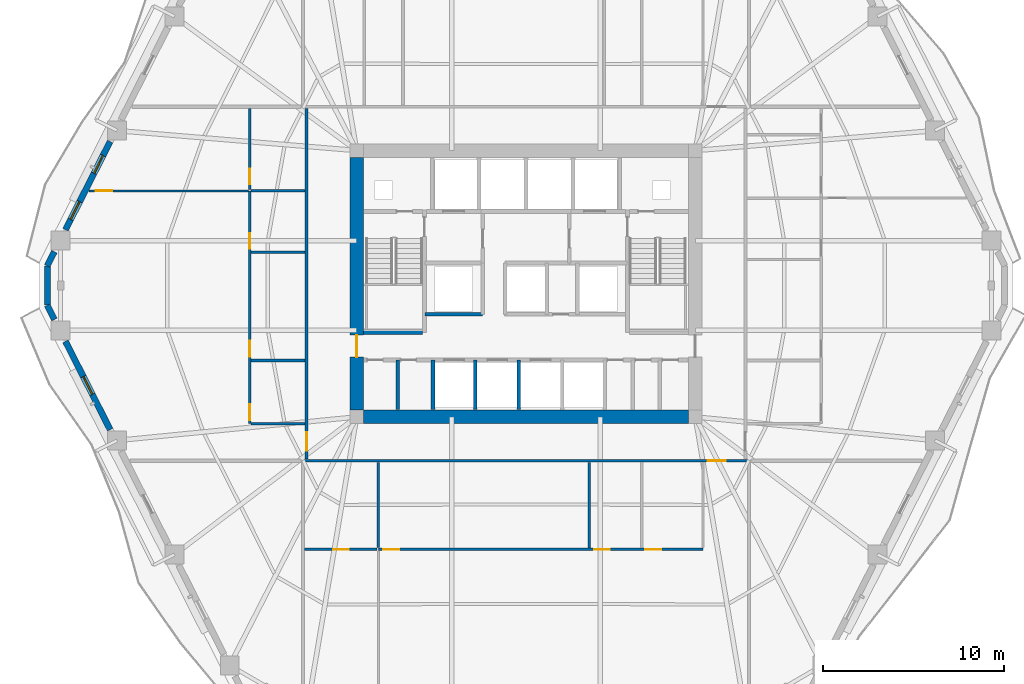
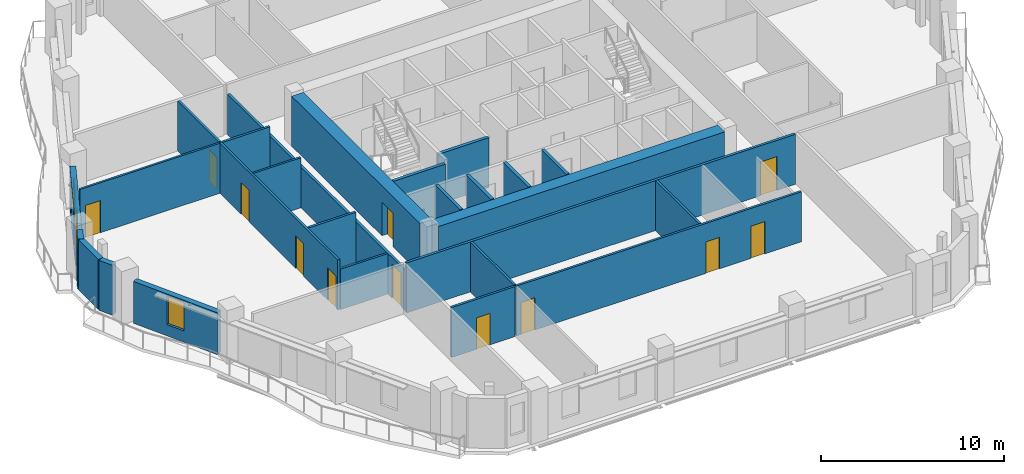
# One storey, part 4 of 13: 26 walls, 12 doors, 3 windows, 15 openings.
"""IFC4 building model written with IfcOpenShell, lengths in metres."""

from ifc_helpers import new_model, si_unit, direction, frame, frame_2d, origin, place, context, subcontext, project, spatial, rectangle, extrude, material, layer, layer_set, type_object, element, fill, save


model = new_model("IFC4")

# Units and contexts
model_context = context("Model", 3, precision=1e-05, world=origin(), true_north=direction((0.0, 1.0)))
body_context = subcontext(model_context, "Body", "Model", "MODEL_VIEW")
ifc_project = project(units=[si_unit("LENGTHUNIT", "METRE"), si_unit("AREAUNIT", "SQUARE_METRE"), si_unit("VOLUMEUNIT", "CUBIC_METRE"), si_unit("PLANEANGLEUNIT", "RADIAN"), si_unit("MASSUNIT", "GRAM", prefix="KILO")], contexts=[model_context])

# Site, building, storey
site_placement = place(None, origin())
site = spatial("IfcSite", under=ifc_project, at=site_placement, CompositionType="ELEMENT")
building_placement = place(site_placement, origin())
building = spatial("IfcBuilding", under=site, at=building_placement, Name="Cinnabar Lancet Tower", CompositionType="ELEMENT")
storey_placement = place(building_placement, frame((0.0, 0.0, 80.0)))
storey = spatial("IfcBuildingStorey", under=building, at=storey_placement, Name="L20", CompositionType="ELEMENT", Elevation=80.0)

# Wall, opening, door
ifc_material_1 = material(Name="Acoustic twin-stud gypsum partition", Category="gypsum")
ifc_layer_1 = layer(ifc_material_1, 0.159912109375)
ifc_layer_set_1 = layer_set([ifc_layer_1], Name="Acoustic twin-stud gypsum partition")
wall_type_1 = type_object("IfcWallType", Name="ARC-WL-CORR-160", PredefinedType="PARTITIONING", material=ifc_layer_set_1)
wall_1_placement = place(storey_placement, frame((20.14501953125, 16.10009765625, 0.0), z_axis=(0.0, 0.0, 1.0), x_axis=(1.0, 0.0, 0.0)))
wall_1 = element("IfcWall", 1, at=wall_1_placement, inside=storey, type_object=wall_type_1, Name="L20 Unit S01 Corridor Wall", PredefinedType="PARTITIONING", context=body_context, shape_type="SweptSolid", body=[
    extrude(rectangle(XDim=24.510009765625, YDim=0.159912109375, at=frame_2d((12.2548828125, 0.0))), origin(), (0.0, 0.0, 1.0), 3.330078125),
])
opening_1_placement = place(wall_1_placement, frame((22.304931640625, 0.0, 0.0)))
opening_1 = element("IfcOpeningElement", 2, at=opening_1_placement, cuts=wall_1, Name="Opening UD-01", PredefinedType="OPENING", context=body_context, shape_type="SweptSolid", body=[
    extrude(rectangle(XDim=1.02001953125, YDim=2.25, at=frame_2d((0.510009765625, 1.125))), frame((0.0, 0.08984375, 0.0), z_axis=(0.0, -1.0, 0.0), x_axis=(1.0, 0.0, 0.0)), (0.0, 0.0, 1.0), 0.179931640625),
])
ifc_material_2 = material(Name="Solid timber fire-rated apartment entrance door", Category="wood")
door_type_1 = type_object("IfcDoorType", Name="ARC-DR-UNIT", OperationType="NOTDEFINED", PredefinedType="DOOR", material=ifc_material_2)
door_1_placement = place(opening_1_placement, origin())
door_1 = element("IfcDoor", 3, at=door_1_placement, inside=storey, type_object=door_type_1, Name="DR-L20-S01-ENT", OperationType="SINGLE_SWING_RIGHT", OverallHeight=2.25, OverallWidth=1.02001953125, PredefinedType="DOOR", context=body_context, shape_type="SweptSolid", body=[
    extrude(rectangle(XDim=1.02001953125, YDim=2.25, at=frame_2d((0.510009765625, 1.125))), frame((0.0, 0.02490234375, 0.0), z_axis=(0.0, -1.0, 0.0), x_axis=(1.0, 0.0, 0.0)), (0.0, 0.0, 1.0), 0.050048828125),
])
fill(opening_1, door_1)

wall_2_placement = place(storey_placement, frame((20.25, 16.195068359375, 0.0), z_axis=(0.0, 0.0, 1.0), x_axis=(0.0, 1.0, 0.0)))
wall_2 = element("IfcWall", 4, at=wall_2_placement, inside=storey, type_object=wall_type_1, Name="UW-L20-W01-COR", PredefinedType="PARTITIONING", context=body_context, shape_type="SweptSolid", body=[
    extrude(rectangle(XDim=19.409912109375, YDim=0.159912109375, at=frame_2d((9.705078125, 0.0))), origin(), (0.0, 0.0, 1.0), 2.699951171875),
])
opening_2_placement = place(wall_2_placement, frame((0.449951171875, 0.0, 0.0)))
opening_2 = element("IfcOpeningElement", 5, at=opening_2_placement, cuts=wall_2, Name="Opening UD-01", PredefinedType="OPENING", context=body_context, shape_type="SweptSolid", body=[
    extrude(rectangle(XDim=1.02001953125, YDim=2.25, at=frame_2d((0.510009765625, 1.125))), frame((0.0, 0.08984375, 0.0), z_axis=(0.0, -1.0, 0.0), x_axis=(1.0, 0.0, 0.0)), (0.0, 0.0, 1.0), 0.179931640625),
])
door_2_placement = place(opening_2_placement, origin())
door_2 = element("IfcDoor", 6, at=door_2_placement, inside=storey, type_object=door_type_1, Name="DR-L20-W01-ENT", OperationType="SINGLE_SWING_RIGHT", OverallHeight=2.25, OverallWidth=1.02001953125, PredefinedType="DOOR", context=body_context, shape_type="SweptSolid", body=[
    extrude(rectangle(XDim=1.02001953125, YDim=2.25, at=frame_2d((0.510009765625, 1.125))), frame((0.0, 0.02490234375, 0.0), z_axis=(0.0, -1.0, 0.0), x_axis=(1.0, 0.0, 0.0)), (0.0, 0.0, 1.0), 0.050048828125),
])
fill(opening_2, door_2)

# Walls
ifc_material_3 = material(Name="Autoclaved aerated concrete blockwork", Category="masonry")
ifc_layer_2 = layer(ifc_material_3, 0.199951171875)
ifc_layer_set_2 = layer_set([ifc_layer_2], Name="Autoclaved aerated concrete blockwork")
wall_type_2 = type_object("IfcWallType", Name="ARC-WL-SHAFT-200", PredefinedType="PLUMBINGWALL", material=ifc_layer_set_2)
wall_3_placement = place(storey_placement, frame((23.405029296875, 23.199951171875, 0.0), z_axis=(0.0, 0.0, 1.0), x_axis=(1.0, 0.0, 0.0)))
element("IfcWall", 7, at=wall_3_placement, inside=storey, type_object=wall_type_2, Name="CW-ST1S-L20", PredefinedType="PLUMBINGWALL", context=body_context, shape_type="SweptSolid", body=[
    extrude(rectangle(XDim=3.27001953125, YDim=0.199951171875, at=frame_2d((1.635009765625, 0.0))), origin(), (0.0, 0.0, 1.0), 3.330078125),
])
wall_4_placement = place(storey_placement, frame((26.800048828125, 24.199951171875, 0.0), z_axis=(0.0, 0.0, 1.0), x_axis=(1.0, 0.0, 0.0)))
element("IfcWall", 8, at=wall_4_placement, inside=storey, type_object=wall_type_2, Name="CW-PL5S-L20", PredefinedType="PLUMBINGWALL", context=body_context, shape_type="SweptSolid", body=[
    extrude(rectangle(XDim=3.199951171875, YDim=0.199951171875, at=frame_2d((1.60009765625, 0.0))), origin(), (0.0, 0.0, 1.0), 3.330078125),
])
for number, where, z_axis, x_axis, name in (
    (9, (27.25, 18.949951171875, 0.0), (0.0, 0.0, 1.0), (0.0, 1.0, 0.0), "CW-SB-2725-L20"),
    (10, (29.60009765625, 18.949951171875, 0.0), (0.0, 0.0, 1.0), (0.0, 1.0, 0.0), "CW-SB-2960-L20"),
    (11, (32.0, 18.949951171875, 0.0), (0.0, 0.0, 1.0), (0.0, 1.0, 0.0), "CW-SB-3200-L20"),
    (12, (25.300048828125, 18.949951171875, 0.0), (0.0, 0.0, 1.0), (0.0, 1.0, 0.0), "CW-SBC2-253-L20"),
):
    element("IfcWall", number, at=place(storey_placement, frame(where, z_axis=z_axis, x_axis=x_axis)), inside=storey, type_object=wall_type_2, Name=name, PredefinedType="PLUMBINGWALL", context=body_context, shape_type="SweptSolid", body=[
        extrude(rectangle(XDim=2.72998046875, YDim=0.199951171875, at=frame_2d((1.364990234375, 0.0))), origin(), (0.0, 0.0, 1.0), 3.330078125),
    ])
ifc_material_4 = material(Name="Gypsum plasterboard stud partition", Category="gypsum")
ifc_layer_3 = layer(ifc_material_4, 0.125)
ifc_layer_set_3 = layer_set([ifc_layer_3], Name="Gypsum plasterboard stud partition")
wall_type_3 = type_object("IfcWallType", Name="ARC-WL-UNIT-125", PredefinedType="PARTITIONING", material=ifc_layer_set_3)
wall_5_placement = place(storey_placement, frame((17.18505859375, 18.14990234375, 0.0), z_axis=(0.0, 0.0, 1.0), x_axis=(1.0, 0.0, 0.0)))
element("IfcWall", 13, at=wall_5_placement, inside=storey, type_object=wall_type_3, Name="UW-L20-W01-FOYN", PredefinedType="PARTITIONING", context=body_context, shape_type="SweptSolid", body=[
    extrude(rectangle(XDim=2.97998046875, YDim=0.125, at=frame_2d((1.489990234375, 0.0))), origin(), (0.0, 0.0, 1.0), 2.699951171875),
])

# Wall, opening, door
wall_6_placement = place(storey_placement, frame((8.215087890625, 31.0380859375, 0.0), z_axis=(0.0, 0.0, 1.0), x_axis=(1.0, 0.0, 0.0)))
wall_6 = element("IfcWall", 14, at=wall_6_placement, inside=storey, type_object=wall_type_3, Name="UW-L20-W01-MBN", PredefinedType="PARTITIONING", context=body_context, shape_type="SweptSolid", body=[
    extrude(rectangle(XDim=8.809814453125, YDim=0.125, at=frame_2d((4.40478515625, 0.0))), origin(), (0.0, 0.0, 1.0), 3.330078125),
])
opening_3_placement = place(wall_6_placement, frame((0.35009765625, 0.0, 0.0)))
opening_3 = element("IfcOpeningElement", 15, at=opening_3_placement, cuts=wall_6, Name="Opening RD-01", PredefinedType="OPENING", context=body_context, shape_type="SweptSolid", body=[
    extrude(rectangle(XDim=0.919921875, YDim=2.14990234375, at=frame_2d((0.4599609375, 1.074951171875))), frame((0.0, 0.072509765625, 0.0), z_axis=(0.0, -1.0, 0.0), x_axis=(1.0, 0.0, 0.0)), (0.0, 0.0, 1.0), 0.14501953125),
])
ifc_material_5 = material(Name="Engineered timber bedroom door", Category="wood")
door_type_2 = type_object("IfcDoorType", Name="ARC-DR-ROOM", OperationType="NOTDEFINED", PredefinedType="DOOR", material=ifc_material_5)
door_3_placement = place(opening_3_placement, origin())
door_3 = element("IfcDoor", 16, at=door_3_placement, inside=storey, type_object=door_type_2, Name="DR-L20-W01-MBD", OperationType="SINGLE_SWING_RIGHT", OverallHeight=2.14990234375, OverallWidth=0.919921875, PredefinedType="DOOR", context=body_context, shape_type="SweptSolid", body=[
    extrude(rectangle(XDim=0.919921875, YDim=2.14990234375, at=frame_2d((0.4599609375, 1.074951171875))), frame((0.0, 0.02490234375, 0.0), z_axis=(0.0, -1.0, 0.0), x_axis=(1.0, 0.0, 0.0)), (0.0, 0.0, 1.0), 0.050048828125),
])
fill(opening_3, door_3)

# Wall
wall_7_placement = place(storey_placement, frame((17.18505859375, 27.637939453125, 0.0), z_axis=(0.0, 0.0, 1.0), x_axis=(1.0, 0.0, 0.0)))
element("IfcWall", 17, at=wall_7_placement, inside=storey, type_object=wall_type_3, Name="UW-L20-W01-UDV", PredefinedType="PARTITIONING", context=body_context, shape_type="SweptSolid", body=[
    extrude(rectangle(XDim=2.97998046875, YDim=0.125, at=frame_2d((1.489990234375, 0.0))), origin(), (0.0, 0.0, 1.0), 3.330078125),
])

# Wall, openings, doors
ifc_material_6 = material(Name="Moisture-resistant cement-board plumbing wall", Category="masonry")
ifc_layer_4 = layer(ifc_material_6, 0.139892578125)
ifc_layer_set_4 = layer_set([ifc_layer_4], Name="Moisture-resistant cement-board plumbing wall")
wall_type_4 = type_object("IfcWallType", Name="ARC-WL-WET-140", PredefinedType="PLUMBINGWALL", material=ifc_layer_set_4)
wall_8_placement = place(storey_placement, frame((24.22998046875, 11.18798828125, 0.0), z_axis=(0.0, 0.0, 1.0), x_axis=(1.0, 0.0, 0.0)))
wall_8 = element("IfcWall", 18, at=wall_8_placement, inside=storey, type_object=wall_type_4, Name="UW-L20-S01-SPL", PredefinedType="PLUMBINGWALL", context=body_context, shape_type="SweptSolid", body=[
    extrude(rectangle(XDim=17.969970703125, YDim=0.139892578125, at=frame_2d((8.98486328125, 0.0))), origin(), (0.0, 0.0, 1.0), 3.330078125),
])
opening_4_placement = place(wall_8_placement, frame((0.280029296875, 0.0, 0.0)))
opening_4 = element("IfcOpeningElement", 19, at=opening_4_placement, cuts=wall_8, Name="Opening RD-02", PredefinedType="OPENING", context=body_context, shape_type="SweptSolid", body=[
    extrude(rectangle(XDim=0.8798828125, YDim=2.14990234375, at=frame_2d((0.43994140625, 1.074951171875))), frame((0.0, 0.079833984375, 0.0), z_axis=(0.0, -1.0, 0.0), x_axis=(1.0, 0.0, 0.0)), (0.0, 0.0, 1.0), 0.159912109375),
])
opening_5_placement = place(wall_8_placement, frame((11.946044921875, 0.0, 0.0)))
opening_5 = element("IfcOpeningElement", 20, at=opening_5_placement, cuts=wall_8, Name="Opening BD-01", PredefinedType="OPENING", context=body_context, shape_type="SweptSolid", body=[
    extrude(rectangle(XDim=0.860107421875, YDim=2.10009765625, at=frame_2d((0.43017578125, 1.050048828125))), frame((0.0, 0.079833984375, 0.0), z_axis=(0.0, -1.0, 0.0), x_axis=(1.0, 0.0, 0.0)), (0.0, 0.0, 1.0), 0.159912109375),
])
opening_6_placement = place(wall_8_placement, frame((14.77001953125, 0.0, 0.0)))
opening_6 = element("IfcOpeningElement", 21, at=opening_6_placement, cuts=wall_8, Name="Opening RD-02", PredefinedType="OPENING", context=body_context, shape_type="SweptSolid", body=[
    extrude(rectangle(XDim=0.8798828125, YDim=2.14990234375, at=frame_2d((0.43994140625, 1.074951171875))), frame((0.0, 0.079833984375, 0.0), z_axis=(0.0, -1.0, 0.0), x_axis=(1.0, 0.0, 0.0)), (0.0, 0.0, 1.0), 0.159912109375),
])
ifc_material_7 = material(Name="Moisture-resistant timber bathroom door", Category="wood")
door_type_3 = type_object("IfcDoorType", Name="ARC-DR-BATH", OperationType="NOTDEFINED", PredefinedType="DOOR", material=ifc_material_7)
door_4_placement = place(opening_5_placement, origin())
door_4 = element("IfcDoor", 22, at=door_4_placement, inside=storey, type_object=door_type_3, Name="DR-L20-S01-BTH", OperationType="SINGLE_SWING_RIGHT", OverallHeight=2.10009765625, OverallWidth=0.860107421875, PredefinedType="DOOR", context=body_context, shape_type="SweptSolid", body=[
    extrude(rectangle(XDim=0.860107421875, YDim=2.10009765625, at=frame_2d((0.43017578125, 1.050048828125))), frame((0.0, 0.02490234375, 0.0), z_axis=(0.0, -1.0, 0.0), x_axis=(1.0, 0.0, 0.0)), (0.0, 0.0, 1.0), 0.050048828125),
])
fill(opening_5, door_4)
ifc_material_8 = material(Name="Engineered timber study door", Category="wood")
door_type_4 = type_object("IfcDoorType", Name="ARC-DR-STUDY", OperationType="NOTDEFINED", PredefinedType="DOOR", material=ifc_material_8)
door_5_placement = place(opening_4_placement, origin())
door_5 = element("IfcDoor", 23, at=door_5_placement, inside=storey, type_object=door_type_4, Name="DR-L20-S01-BTH-WDR", OperationType="SINGLE_SWING_LEFT", OverallHeight=2.14990234375, OverallWidth=0.8798828125, PredefinedType="DOOR", context=body_context, shape_type="SweptSolid", body=[
    extrude(rectangle(XDim=0.8798828125, YDim=2.14990234375, at=frame_2d((0.43994140625, 1.074951171875))), frame((0.0, 0.02490234375, 0.0), z_axis=(0.0, -1.0, 0.0), x_axis=(1.0, 0.0, 0.0)), (0.0, 0.0, 1.0), 0.050048828125),
])
fill(opening_4, door_5)
door_6_placement = place(opening_6_placement, origin())
door_6 = element("IfcDoor", 24, at=door_6_placement, inside=storey, type_object=door_type_4, Name="DR-L20-S01-KIT", OperationType="SINGLE_SWING_RIGHT", OverallHeight=2.14990234375, OverallWidth=0.8798828125, PredefinedType="DOOR", context=body_context, shape_type="SweptSolid", body=[
    extrude(rectangle(XDim=0.8798828125, YDim=2.14990234375, at=frame_2d((0.43994140625, 1.074951171875))), frame((0.0, 0.02490234375, 0.0), z_axis=(0.0, -1.0, 0.0), x_axis=(1.0, 0.0, 0.0)), (0.0, 0.0, 1.0), 0.050048828125),
])
fill(opening_6, door_6)

# Wall, opening, door
wall_9_placement = place(storey_placement, frame((20.14501953125, 11.18798828125, 0.0), z_axis=(0.0, 0.0, 1.0), x_axis=(1.0, 0.0, 0.0)))
wall_9 = element("IfcWall", 25, at=wall_9_placement, inside=storey, type_object=wall_type_4, Name="UW-L20-S01-SPM", PredefinedType="PLUMBINGWALL", context=body_context, shape_type="SweptSolid", body=[
    extrude(rectangle(XDim=4.010009765625, YDim=0.139892578125, at=frame_2d((2.0048828125, 0.0))), origin(), (0.0, 0.0, 1.0), 3.330078125),
])
opening_7_placement = place(wall_9_placement, frame((1.580078125, 0.0, 0.0)))
opening_7 = element("IfcOpeningElement", 26, at=opening_7_placement, cuts=wall_9, Name="Opening BD-01", PredefinedType="OPENING", context=body_context, shape_type="SweptSolid", body=[
    extrude(rectangle(XDim=0.860107421875, YDim=2.10009765625, at=frame_2d((0.43017578125, 1.050048828125))), frame((0.0, 0.079833984375, 0.0), z_axis=(0.0, -1.0, 0.0), x_axis=(1.0, 0.0, 0.0)), (0.0, 0.0, 1.0), 0.159912109375),
])
door_7_placement = place(opening_7_placement, origin())
door_7 = element("IfcDoor", 27, at=door_7_placement, inside=storey, type_object=door_type_3, Name="DR-L20-S01-ENS", OperationType="SINGLE_SWING_RIGHT", OverallHeight=2.10009765625, OverallWidth=0.860107421875, PredefinedType="DOOR", context=body_context, shape_type="SweptSolid", body=[
    extrude(rectangle(XDim=0.860107421875, YDim=2.10009765625, at=frame_2d((0.43017578125, 1.050048828125))), frame((0.0, 0.02490234375, 0.0), z_axis=(0.0, -1.0, 0.0), x_axis=(1.0, 0.0, 0.0)), (0.0, 0.0, 1.0), 0.050048828125),
])
fill(opening_7, door_7)

# Walls
wall_10_placement = place(storey_placement, frame((24.22998046875, 11.29296875, 0.0), z_axis=(0.0, 0.0, 1.0), x_axis=(0.0, 1.0, 0.0)))
element("IfcWall", 28, at=wall_10_placement, inside=storey, type_object=wall_type_4, Name="UW-L20-S01-ENSW", PredefinedType="PLUMBINGWALL", context=body_context, shape_type="SweptSolid", body=[
    extrude(rectangle(XDim=4.721923828125, YDim=0.139892578125, at=frame_2d((2.36083984375, 0.0))), origin(), (0.0, 0.0, 1.0), 3.330078125),
])
wall_11_placement = place(storey_placement, frame((35.89599609375, 11.27294921875, 0.0), z_axis=(0.0, 0.0, 1.0), x_axis=(0.0, 1.0, 0.0)))
element("IfcWall", 29, at=wall_11_placement, inside=storey, type_object=wall_type_4, Name="UW-L20-S01-BTH-WDV", PredefinedType="PLUMBINGWALL", context=body_context, shape_type="SweptSolid", body=[
    extrude(rectangle(XDim=4.741943359375, YDim=0.139892578125, at=frame_2d((2.37109375, 0.0))), origin(), (0.0, 0.0, 1.0), 3.330078125),
])

# Wall, openings, doors
wall_12_placement = place(storey_placement, frame((17.10009765625, 18.14990234375, 0.0), z_axis=(0.0, 0.0, 1.0), x_axis=(0.0, 1.0, 0.0)))
wall_12 = element("IfcWall", 30, at=wall_12_placement, inside=storey, type_object=wall_type_4, Name="UW-L20-W01-SPL", PredefinedType="PLUMBINGWALL", context=body_context, shape_type="SweptSolid", body=[
    extrude(rectangle(XDim=12.88818359375, YDim=0.139892578125, at=frame_2d((6.444091796875, 0.0))), origin(), (0.0, 0.0, 1.0), 3.330078125),
])
opening_8_placement = place(wall_12_placement, frame((0.199951171875, 0.0, 0.0)))
opening_8 = element("IfcOpeningElement", 31, at=opening_8_placement, cuts=wall_12, Name="Opening RD-02", PredefinedType="OPENING", context=body_context, shape_type="SweptSolid", body=[
    extrude(rectangle(XDim=0.8798828125, YDim=2.14990234375, at=frame_2d((0.43994140625, 1.074951171875))), frame((0.0, 0.079833984375, 0.0), z_axis=(0.0, -1.0, 0.0), x_axis=(1.0, 0.0, 0.0)), (0.0, 0.0, 1.0), 0.159912109375),
])
opening_9_placement = place(wall_12_placement, frame((3.699951171875, 0.0, 0.0)))
opening_9 = element("IfcOpeningElement", 32, at=opening_9_placement, cuts=wall_12, Name="Opening RD-02", PredefinedType="OPENING", context=body_context, shape_type="SweptSolid", body=[
    extrude(rectangle(XDim=0.8798828125, YDim=2.14990234375, at=frame_2d((0.43994140625, 1.074951171875))), frame((0.0, 0.079833984375, 0.0), z_axis=(0.0, -1.0, 0.0), x_axis=(1.0, 0.0, 0.0)), (0.0, 0.0, 1.0), 0.159912109375),
])
opening_10_placement = place(wall_12_placement, frame((9.68798828125, 0.0, 0.0)))
opening_10 = element("IfcOpeningElement", 33, at=opening_10_placement, cuts=wall_12, Name="Opening BD-01", PredefinedType="OPENING", context=body_context, shape_type="SweptSolid", body=[
    extrude(rectangle(XDim=0.860107421875, YDim=2.10009765625, at=frame_2d((0.43017578125, 1.050048828125))), frame((0.0, 0.079833984375, 0.0), z_axis=(0.0, -1.0, 0.0), x_axis=(1.0, 0.0, 0.0)), (0.0, 0.0, 1.0), 0.159912109375),
])
door_8_placement = place(opening_10_placement, origin())
door_8 = element("IfcDoor", 34, at=door_8_placement, inside=storey, type_object=door_type_3, Name="DR-L20-W01-BTH", OperationType="SINGLE_SWING_LEFT", OverallHeight=2.10009765625, OverallWidth=0.860107421875, PredefinedType="DOOR", context=body_context, shape_type="SweptSolid", body=[
    extrude(rectangle(XDim=0.860107421875, YDim=2.10009765625, at=frame_2d((0.43017578125, 1.050048828125))), frame((0.0, 0.02490234375, 0.0), z_axis=(0.0, -1.0, 0.0), x_axis=(1.0, 0.0, 0.0)), (0.0, 0.0, 1.0), 0.050048828125),
])
fill(opening_10, door_8)
door_9_placement = place(opening_8_placement, origin())
door_9 = element("IfcDoor", 35, at=door_9_placement, inside=storey, type_object=door_type_4, Name="DR-L20-W01-KIT", OperationType="SINGLE_SWING_LEFT", OverallHeight=2.14990234375, OverallWidth=0.8798828125, PredefinedType="DOOR", context=body_context, shape_type="SweptSolid", body=[
    extrude(rectangle(XDim=0.8798828125, YDim=2.14990234375, at=frame_2d((0.43994140625, 1.074951171875))), frame((0.0, 0.02490234375, 0.0), z_axis=(0.0, -1.0, 0.0), x_axis=(1.0, 0.0, 0.0)), (0.0, 0.0, 1.0), 0.050048828125),
])
fill(opening_8, door_9)
door_10_placement = place(opening_9_placement, origin())
door_10 = element("IfcDoor", 36, at=door_10_placement, inside=storey, type_object=door_type_4, Name="DR-L20-W01-UTL", OperationType="SINGLE_SWING_RIGHT", OverallHeight=2.14990234375, OverallWidth=0.8798828125, PredefinedType="DOOR", context=body_context, shape_type="SweptSolid", body=[
    extrude(rectangle(XDim=0.8798828125, YDim=2.14990234375, at=frame_2d((0.43994140625, 1.074951171875))), frame((0.0, 0.02490234375, 0.0), z_axis=(0.0, -1.0, 0.0), x_axis=(1.0, 0.0, 0.0)), (0.0, 0.0, 1.0), 0.050048828125),
])
fill(opening_9, door_10)

# Wall, opening, door
wall_13_placement = place(storey_placement, frame((17.10009765625, 31.10791015625, 0.0), z_axis=(0.0, 0.0, 1.0), x_axis=(0.0, 1.0, 0.0)))
wall_13 = element("IfcWall", 37, at=wall_13_placement, inside=storey, type_object=wall_type_4, Name="UW-L20-W01-SPM", PredefinedType="PLUMBINGWALL", context=body_context, shape_type="SweptSolid", body=[
    extrude(rectangle(XDim=4.4970703125, YDim=0.139892578125, at=frame_2d((2.24853515625, 0.0))), origin(), (0.0, 0.0, 1.0), 3.330078125),
])
opening_11_placement = place(wall_13_placement, frame((0.300048828125, 0.0, 0.0)))
opening_11 = element("IfcOpeningElement", 38, at=opening_11_placement, cuts=wall_13, Name="Opening BD-01", PredefinedType="OPENING", context=body_context, shape_type="SweptSolid", body=[
    extrude(rectangle(XDim=0.860107421875, YDim=2.10009765625, at=frame_2d((0.43017578125, 1.050048828125))), frame((0.0, 0.079833984375, 0.0), z_axis=(0.0, -1.0, 0.0), x_axis=(1.0, 0.0, 0.0)), (0.0, 0.0, 1.0), 0.159912109375),
])
door_11_placement = place(opening_11_placement, origin())
door_11 = element("IfcDoor", 39, at=door_11_placement, inside=storey, type_object=door_type_3, Name="DR-L20-W01-ENS", OperationType="SINGLE_SWING_RIGHT", OverallHeight=2.10009765625, OverallWidth=0.860107421875, PredefinedType="DOOR", context=body_context, shape_type="SweptSolid", body=[
    extrude(rectangle(XDim=0.860107421875, YDim=2.10009765625, at=frame_2d((0.43017578125, 1.050048828125))), frame((0.0, 0.02490234375, 0.0), z_axis=(0.0, -1.0, 0.0), x_axis=(1.0, 0.0, 0.0)), (0.0, 0.0, 1.0), 0.050048828125),
])
fill(opening_11, door_11)

# Walls
for number, where, z_axis, x_axis, name in (
    (40, (17.18505859375, 31.0380859375, 0.0), (0.0, 0.0, 1.0), (1.0, 0.0, 0.0), "UW-L20-W01-ENSN"),
    (41, (17.18505859375, 21.64990234375, 0.0), (0.0, 0.0, 1.0), (1.0, 0.0, 0.0), "UW-L20-W01-KDV"),
):
    element("IfcWall", number, at=place(storey_placement, frame(where, z_axis=z_axis, x_axis=x_axis)), inside=storey, type_object=wall_type_4, Name=name, PredefinedType="PLUMBINGWALL", context=body_context, shape_type="SweptSolid", body=[
        extrude(rectangle(XDim=2.97998046875, YDim=0.139892578125, at=frame_2d((1.489990234375, 0.0))), origin(), (0.0, 0.0, 1.0), 3.330078125),
    ])
ifc_material_9 = material(Name="Cinnabar red clay brick", Category="masonry")
ifc_layer_5 = layer(ifc_material_9, 0.340087890625)
ifc_layer_set_5 = layer_set([ifc_layer_5], Name="Cinnabar red clay brick")
wall_type_5 = type_object("IfcWallType", Name="ENV-WL-BRK-RED-340", PredefinedType="STANDARD", material=ifc_layer_set_5)
wall_14_placement = place(storey_placement, frame((5.912109375, 26.885986328125, 0.0), z_axis=(0.0, 0.0, 1.0), x_axis=(0.0, -1.0, 0.0)))
element("IfcWall", 42, at=wall_14_placement, inside=storey, type_object=wall_type_5, Name="L20 Chamfered Corner Brick Pier 6.1", PredefinedType="STANDARD", context=body_context, shape_type="SweptSolid", body=[
    extrude(rectangle(XDim=2.171875, YDim=0.340087890625, at=frame_2d((1.0859375, 0.0))), origin(), (0.0, 0.0, 1.0), 3.330078125),
])

# Wall, openings, windows
wall_15_placement = place(storey_placement, frame((9.3740234375, 33.77587890625, 0.0), z_axis=(0.0, 0.0, 1.0), x_axis=(-0.451597066012, -0.892221995901, 0.0)))
wall_15 = element("IfcWall", 43, at=wall_15_placement, inside=storey, type_object=wall_type_5, Name="L20 Face 5 Masonry Bay Wall 4", PredefinedType="STANDARD", context=body_context, shape_type="SweptSolid", body=[
    extrude(rectangle(XDim=5.4736328125, YDim=0.340087890625, at=frame_2d((2.73681640625, 0.0))), origin(), (0.0, 0.0, 1.0), 2.787109375),
])
opening_12_placement = place(wall_15_placement, frame((0.873046875, 0.0, 0.75)))
opening_12 = element("IfcOpeningElement", 44, at=opening_12_placement, cuts=wall_15, Name="Opening WN-04", PredefinedType="OPENING", context=body_context, shape_type="SweptSolid", body=[
    extrude(rectangle(XDim=1.10009765625, YDim=1.886962890625, at=frame_2d((0.550048828125, 0.943359375))), frame((0.0, 0.179931640625, 0.0), z_axis=(0.0, -1.0, 0.0), x_axis=(1.0, 0.0, 0.0)), (0.0, 0.0, 1.0), 0.360107421875),
])
opening_13_placement = place(wall_15_placement, frame((3.72998046875, 0.0, 0.75)))
opening_13 = element("IfcOpeningElement", 45, at=opening_13_placement, cuts=wall_15, Name="Opening WN-04", PredefinedType="OPENING", context=body_context, shape_type="SweptSolid", body=[
    extrude(rectangle(XDim=1.10009765625, YDim=1.886962890625, at=frame_2d((0.550048828125, 0.943359375))), frame((0.0, 0.179931640625, 0.0), z_axis=(0.0, -1.0, 0.0), x_axis=(1.0, 0.0, 0.0)), (0.0, 0.0, 1.0), 0.360107421875),
])
ifc_material_10 = material(Name="Thermally broken bronze-anodized aluminium tall lancet window", Category="aluminium")
window_type = type_object("IfcWindowType", Name="ENV-WN-LANCET-1100", PartitioningType="SINGLE_PANEL", PredefinedType="WINDOW", material=ifc_material_10)
window_1_placement = place(opening_12_placement, origin())
window_1 = element("IfcWindow", 46, at=window_1_placement, inside=storey, type_object=window_type, Name="L20 Face 5 Gothic Lancet Window 4", OverallHeight=1.886962890625, OverallWidth=1.10009765625, PartitioningType="SINGLE_PANEL", PredefinedType="WINDOW", context=body_context, shape_type="SweptSolid", body=[
    extrude(rectangle(XDim=1.10009765625, YDim=1.886962890625, at=frame_2d((0.550048828125, 0.943359375))), frame((0.0, 0.030029296875, 0.0), z_axis=(0.0, -1.0, 0.0), x_axis=(1.0, 0.0, 0.0)), (0.0, 0.0, 1.0), 0.06005859375),
])
fill(opening_12, window_1)
window_2_placement = place(opening_13_placement, origin())
window_2 = element("IfcWindow", 47, at=window_2_placement, inside=storey, type_object=window_type, Name="L20 Split-Bay Gothic Lancet Window 57", OverallHeight=1.886962890625, OverallWidth=1.10009765625, PartitioningType="SINGLE_PANEL", PredefinedType="WINDOW", context=body_context, shape_type="SweptSolid", body=[
    extrude(rectangle(XDim=1.10009765625, YDim=1.886962890625, at=frame_2d((0.550048828125, 0.943359375))), frame((0.0, 0.030029296875, 0.0), z_axis=(0.0, -1.0, 0.0), x_axis=(1.0, 0.0, 0.0)), (0.0, 0.0, 1.0), 0.06005859375),
])
fill(opening_13, window_2)

# Walls
wall_16_placement = place(storey_placement, frame((6.2890625, 27.679931640625, 0.0), z_axis=(0.0, 0.0, 1.0), x_axis=(-0.451306655769, -0.892368927327, 0.0)))
element("IfcWall", 48, at=wall_16_placement, inside=storey, type_object=wall_type_5, Name="L20 Face 5 Masonry Bay Wall 5", PredefinedType="STANDARD", context=body_context, shape_type="SweptSolid", body=[
    extrude(rectangle(XDim=0.8818359375, YDim=0.340087890625, at=frame_2d((0.44091796875, 0.0))), origin(), (0.0, 0.0, 1.0), 3.330078125),
])
wall_17_placement = place(storey_placement, frame((5.89111328125, 24.70703125, 0.0), z_axis=(0.0, 0.0, 1.0), x_axis=(0.451195173259, -0.892425299747, 0.0)))
element("IfcWall", 49, at=wall_17_placement, inside=storey, type_object=wall_type_5, Name="L20 Face 6 Masonry Bay Wall 1", PredefinedType="STANDARD", context=body_context, shape_type="SweptSolid", body=[
    extrude(rectangle(XDim=0.882080078125, YDim=0.340087890625, at=frame_2d((0.44091796875, 0.0))), origin(), (0.0, 0.0, 1.0), 3.330078125),
])

# Wall, opening, window
wall_18_placement = place(storey_placement, frame((6.902099609375, 22.7080078125, 0.0), z_axis=(0.0, 0.0, 1.0), x_axis=(0.451579095309, -0.892231091523, 0.0)))
wall_18 = element("IfcWall", 50, at=wall_18_placement, inside=storey, type_object=wall_type_5, Name="L20 Face 6 Masonry Bay Wall 2", PredefinedType="STANDARD", context=body_context, shape_type="SweptSolid", body=[
    extrude(rectangle(XDim=5.473876953125, YDim=0.340087890625, at=frame_2d((2.73681640625, 0.0))), origin(), (0.0, 0.0, 1.0), 2.787109375),
])
opening_14_placement = place(wall_18_placement, frame((2.18701171875, 0.0, 0.75)))
opening_14 = element("IfcOpeningElement", 51, at=opening_14_placement, cuts=wall_18, Name="Opening WN-04", PredefinedType="OPENING", context=body_context, shape_type="SweptSolid", body=[
    extrude(rectangle(XDim=1.10009765625, YDim=1.886962890625, at=frame_2d((0.550048828125, 0.943359375))), frame((0.0, 0.179931640625, 0.0), z_axis=(0.0, -1.0, 0.0), x_axis=(1.0, 0.0, 0.0)), (0.0, 0.0, 1.0), 0.360107421875),
])
window_3_placement = place(opening_14_placement, origin())
window_3 = element("IfcWindow", 52, at=window_3_placement, inside=storey, type_object=window_type, Name="L20 Face 6 Gothic Lancet Window 2", OverallHeight=1.886962890625, OverallWidth=1.10009765625, PartitioningType="SINGLE_PANEL", PredefinedType="WINDOW", context=body_context, shape_type="SweptSolid", body=[
    extrude(rectangle(XDim=1.10009765625, YDim=1.886962890625, at=frame_2d((0.550048828125, 0.943359375))), frame((0.0, 0.030029296875, 0.0), z_axis=(0.0, -1.0, 0.0), x_axis=(1.0, 0.0, 0.0)), (0.0, 0.0, 1.0), 0.06005859375),
])
fill(opening_14, window_3)

# Wall
ifc_material_11 = material(Name="Concrete C70/85", Category="concrete")
ifc_layer_6 = layer(ifc_material_11, 0.75)
ifc_layer_set_6 = layer_set([ifc_layer_6], Name="Concrete C70/85")
wall_type_6 = type_object("IfcWallType", Name="STR-WL-CORE-750", PredefinedType="SHEAR", material=ifc_layer_set_6)
wall_19_placement = place(storey_placement, frame((23.39990234375, 18.52490234375, 0.0), z_axis=(0.0, 0.0, 1.0), x_axis=(1.0, 0.0, 0.0)))
element("IfcWall", 53, at=wall_19_placement, inside=storey, type_object=wall_type_6, Name="L20 Core Shear Wall S", PredefinedType="SHEAR", context=body_context, shape_type="SweptSolid", body=[
    extrude(rectangle(XDim=18.0, YDim=0.75, at=frame_2d((9.0, 0.0))), origin(), (0.0, 0.0, 1.0), 3.330078125),
])

# Wall, opening, door
wall_20_placement = place(storey_placement, frame((23.02490234375, 18.89990234375, 0.0), z_axis=(0.0, 0.0, 1.0), x_axis=(0.0, 1.0, 0.0)))
wall_20 = element("IfcWall", 54, at=wall_20_placement, inside=storey, type_object=wall_type_6, Name="L20 Core Shear Wall W", PredefinedType="SHEAR", context=body_context, shape_type="SweptSolid", body=[
    extrude(rectangle(XDim=14.0, YDim=0.75, at=frame_2d((7.0, 0.0))), origin(), (0.0, 0.0, 1.0), 3.330078125),
])
opening_15_placement = place(wall_20_placement, frame((2.93994140625, 0.0, 0.0)))
opening_15 = element("IfcOpeningElement", 55, at=opening_15_placement, cuts=wall_20, Name="Opening FD-02", PredefinedType="OPENING", context=body_context, shape_type="SweptSolid", body=[
    extrude(rectangle(XDim=1.219970703125, YDim=2.25, at=frame_2d((0.60986328125, 1.125))), frame((0.0, 0.385009765625, 0.0), z_axis=(0.0, -1.0, 0.0), x_axis=(1.0, 0.0, 0.0)), (0.0, 0.0, 1.0), 0.77001953125),
])
ifc_material_12 = material(Name="Fire-rated double-vision core portal door", Category="wood")
door_type_5 = type_object("IfcDoorType", Name="ARC-DR-CPORT", OperationType="NOTDEFINED", PredefinedType="DOOR", material=ifc_material_12)
door_12_placement = place(opening_15_placement, origin())
door_12 = element("IfcDoor", 56, at=door_12_placement, inside=storey, type_object=door_type_5, Name="L20 West Core Lobby Fire Door", OperationType="SINGLE_SWING_RIGHT", OverallHeight=2.25, OverallWidth=1.219970703125, PredefinedType="DOOR", context=body_context, shape_type="SweptSolid", body=[
    extrude(rectangle(XDim=1.219970703125, YDim=2.25, at=frame_2d((0.60986328125, 1.125))), frame((0.0, 0.02490234375, 0.0), z_axis=(0.0, -1.0, 0.0), x_axis=(1.0, 0.0, 0.0)), (0.0, 0.0, 1.0), 0.050048828125),
])
fill(opening_15, door_12)

save(model, "model.ifc")
